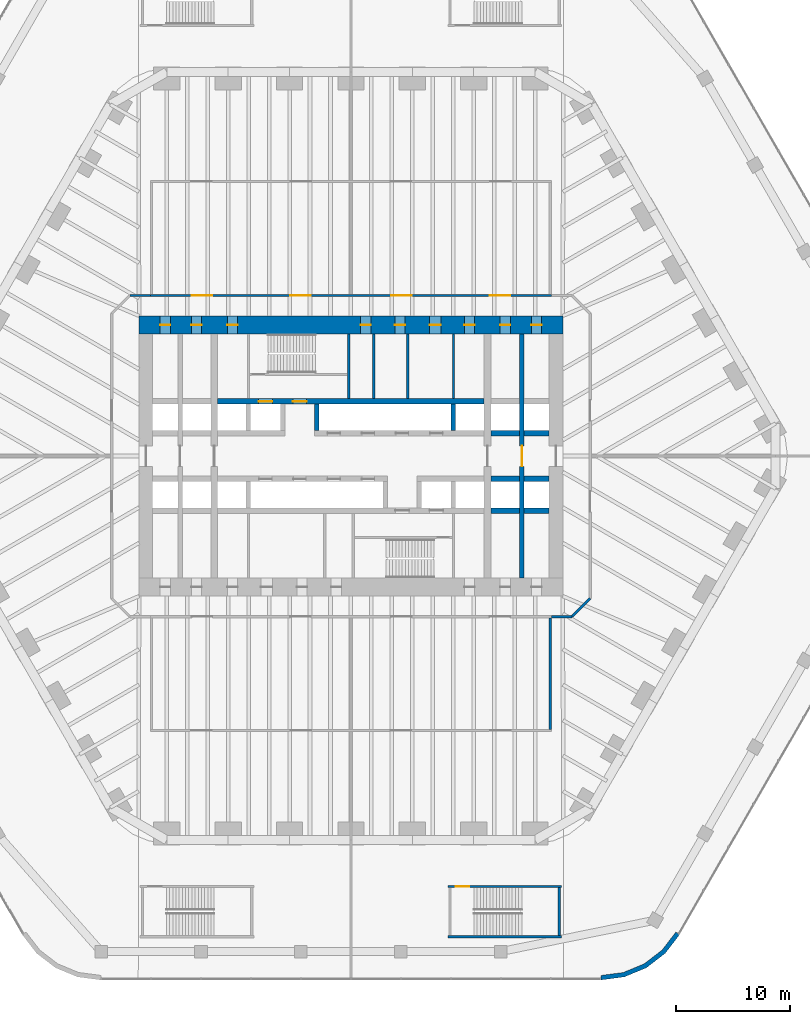
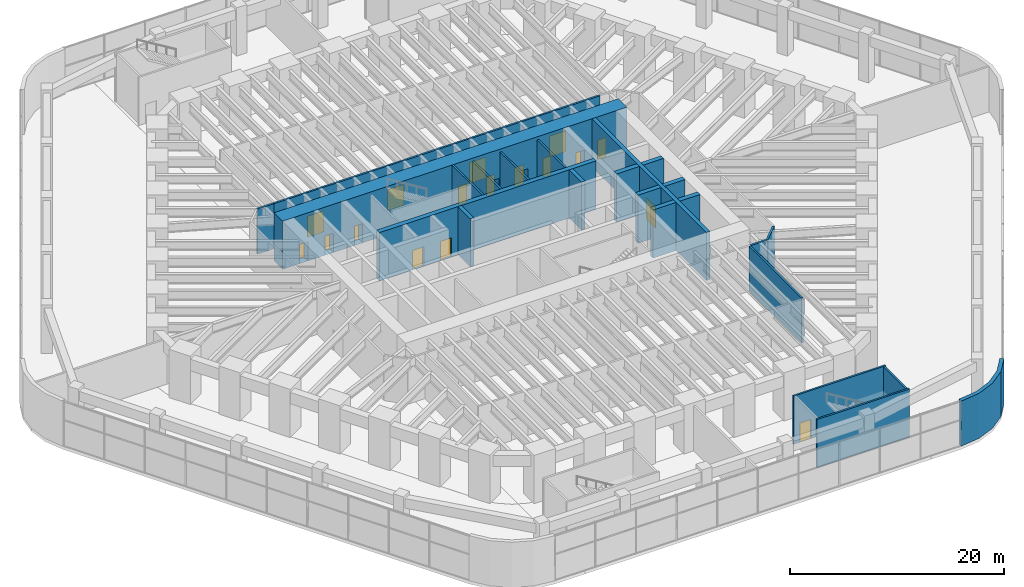
# One storey, part 28 of 31: 24 walls, 17 doors, 17 openings.
"""IFC4 building model written with IfcOpenShell, lengths in metres."""

from ifc_helpers import new_model, si_unit, direction, frame, frame_2d, origin, place, context, subcontext, project, spatial, polyline, rectangle, outline, extrude, material, layer, layer_set, type_object, element, fill, save


model = new_model("IFC4")

# Units and contexts
model_context = context("Model", 3, precision=1e-05, world=origin(), true_north=direction((0.0, 1.0)))
body_context = subcontext(model_context, "Body", "Model", "MODEL_VIEW")
ifc_project = project(units=[si_unit("LENGTHUNIT", "METRE"), si_unit("AREAUNIT", "SQUARE_METRE"), si_unit("VOLUMEUNIT", "CUBIC_METRE"), si_unit("PLANEANGLEUNIT", "RADIAN"), si_unit("MASSUNIT", "GRAM", prefix="KILO")], contexts=[model_context])

# Site, building, storey
site_placement = place(None, origin())
site = spatial("IfcSite", under=ifc_project, at=site_placement, CompositionType="ELEMENT")
building_placement = place(site_placement, origin())
building = spatial("IfcBuilding", under=site, at=building_placement, Name="Tarfa Lantern Tower", CompositionType="ELEMENT")
storey_placement = place(building_placement, frame((0.0, 0.0, 13.0)))
storey = spatial("IfcBuildingStorey", under=building, at=storey_placement, Name="L02", CompositionType="ELEMENT", Elevation=13.0)

# Walls
ifc_material_1 = material(Name="Limestone cladding on blockwork", Category="masonry")
ifc_layer_1 = layer(ifc_material_1, 0.39990234375)
ifc_layer_set_1 = layer_set([ifc_layer_1], Name="EW2 CURVED STONE CORNER 400")
wall_type_1 = type_object("IfcWallType", Name="EW2 CURVED STONE CORNER 400", PredefinedType="SOLIDWALL", material=ifc_layer_set_1)
wall_1_placement = place(storey_placement, origin())
element("IfcWall", 1, at=wall_1_placement, inside=storey, type_object=wall_type_1, Name="Stone corner S-SE", PredefinedType="SOLIDWALL", context=body_context, shape_type="SweptSolid", body=[
    extrude(outline(polyline([(21.939208984375, -46.0), (24.009765625, -45.727294921875), (25.939208984375, -44.92822265625), (27.59619140625, -43.65673828125), (28.867431640625, -42.0), (28.52099609375, -41.800048828125), (27.313232421875, -43.3740234375), (25.7392578125, -44.581787109375), (23.90625, -45.341064453125), (21.939208984375, -45.60009765625), (21.939208984375, -46.0)])), origin(), (0.0, 0.0, 1.0), 5.14990234375),
])
ifc_material_2 = material(Name="Concrete blockwork", Category="masonry")
ifc_layer_2 = layer(ifc_material_2, 0.199951171875)
ifc_layer_set_2 = layer_set([ifc_layer_2], Name="IW1 BLOCKWORK PARTITION 200 EI 120")
wall_type_2 = type_object("IfcWallType", Name="IW1 BLOCKWORK PARTITION 200 EI 120", PredefinedType="PARTITIONING", material=ifc_layer_set_2)
for number, where, z_axis, x_axis, name in (
    (2, (9.0, 5.050048828125, 0.0), (0.0, 0.0, 1.0), (0.0, 1.0, 0.0), "Core partition"),
    (3, (2.0, 5.050048828125, 0.0), (0.0, 0.0, 1.0), (0.0, 1.0, 0.0), "Core partition"),
    (4, (5.0, 5.050048828125, 0.0), (0.0, 0.0, 1.0), (0.0, 1.0, 0.0), "Core partition"),
):
    element("IfcWall", number, at=place(storey_placement, frame(where, z_axis=z_axis, x_axis=x_axis)), inside=storey, type_object=wall_type_2, Name=name, PredefinedType="PARTITIONING", context=body_context, shape_type="SweptSolid", body=[
        extrude(rectangle(XDim=5.64990234375, YDim=0.199951171875, at=frame_2d((2.824951171875, 0.0))), origin(), (0.0, 0.0, 1.0), 5.14990234375),
    ])

# Wall, openings, doors
ifc_material_3 = material(Name="Gypsum board on steel studs", Category="steel")
ifc_layer_3 = layer(ifc_material_3, 0.2099609375)
ifc_layer_set_3 = layer_set([ifc_layer_3], Name="IW2 ACOUSTIC PARTITION 200")
wall_type_3 = type_object("IfcWallType", Name="IW2 ACOUSTIC PARTITION 200", PredefinedType="PARTITIONING", material=ifc_layer_set_3)
wall_2_placement = place(storey_placement, frame((-17.60009765625, 14.10009765625, 0.0), z_axis=(0.0, 0.0, 1.0), x_axis=(1.0, 0.0, 0.0)))
wall_2 = element("IfcWall", 5, at=wall_2_placement, inside=storey, type_object=wall_type_3, Name="Partition", PredefinedType="PARTITIONING", context=body_context, shape_type="SweptSolid", body=[
    extrude(rectangle(XDim=35.2001953125, YDim=0.199951171875, at=frame_2d((17.60009765625, 0.0))), origin(), (0.0, 0.0, 1.0), 5.14990234375),
])
opening_1_placement = place(wall_2_placement, frame((3.625, 0.0, 0.0)))
opening_1 = element("IfcOpeningElement", 6, at=opening_1_placement, cuts=wall_2, Name="Opening D33", PredefinedType="OPENING", context=body_context, shape_type="SweptSolid", body=[
    extrude(rectangle(XDim=1.800048828125, YDim=2.39990234375, at=frame_2d((0.89990234375, 1.199951171875))), frame((0.0, 0.10986328125, 0.0), z_axis=(0.0, -1.0, 0.0), x_axis=(1.0, 0.0, 0.0)), (0.0, 0.0, 1.0), 0.219970703125),
])
opening_2_placement = place(wall_2_placement, frame((12.27490234375, 0.0, 0.0)))
opening_2 = element("IfcOpeningElement", 7, at=opening_2_placement, cuts=wall_2, Name="Opening D34", PredefinedType="OPENING", context=body_context, shape_type="SweptSolid", body=[
    extrude(rectangle(XDim=1.800048828125, YDim=2.39990234375, at=frame_2d((0.89990234375, 1.199951171875))), frame((0.0, 0.10986328125, 0.0), z_axis=(0.0, -1.0, 0.0), x_axis=(1.0, 0.0, 0.0)), (0.0, 0.0, 1.0), 0.219970703125),
])
opening_3_placement = place(wall_2_placement, frame((21.125, 0.0, 0.0)))
opening_3 = element("IfcOpeningElement", 8, at=opening_3_placement, cuts=wall_2, Name="Opening D35", PredefinedType="OPENING", context=body_context, shape_type="SweptSolid", body=[
    extrude(rectangle(XDim=1.800048828125, YDim=2.39990234375, at=frame_2d((0.89990234375, 1.199951171875))), frame((0.0, 0.10986328125, 0.0), z_axis=(0.0, -1.0, 0.0), x_axis=(1.0, 0.0, 0.0)), (0.0, 0.0, 1.0), 0.219970703125),
])
opening_4_placement = place(wall_2_placement, frame((29.77490234375, 0.0, 0.0)))
opening_4 = element("IfcOpeningElement", 9, at=opening_4_placement, cuts=wall_2, Name="Opening D36", PredefinedType="OPENING", context=body_context, shape_type="SweptSolid", body=[
    extrude(rectangle(XDim=1.800048828125, YDim=2.39990234375, at=frame_2d((0.89990234375, 1.199951171875))), frame((0.0, 0.10986328125, 0.0), z_axis=(0.0, -1.0, 0.0), x_axis=(1.0, 0.0, 0.0)), (0.0, 0.0, 1.0), 0.219970703125),
])
ifc_material_4 = material(Name="Timber door", Category="wood")
door_type_1 = type_object("IfcDoorType", Name="DR2 ROOM DOOR 1800x2400", OperationType="DOUBLE_DOOR_SINGLE_SWING", PredefinedType="DOOR", material=ifc_material_4)
door_1_placement = place(opening_1_placement, origin())
door_1 = element("IfcDoor", 10, at=door_1_placement, inside=storey, type_object=door_type_1, Name="Conference room door", OperationType="DOUBLE_DOOR_SINGLE_SWING", OverallHeight=2.39990234375, OverallWidth=1.800048828125, PredefinedType="DOOR", context=body_context, shape_type="SweptSolid", body=[
    extrude(rectangle(XDim=1.800048828125, YDim=2.39990234375, at=frame_2d((0.89990234375, 1.199951171875))), frame((0.0, 0.02490234375, 0.0), z_axis=(0.0, -1.0, 0.0), x_axis=(1.0, 0.0, 0.0)), (0.0, 0.0, 1.0), 0.050048828125),
])
fill(opening_1, door_1)
door_2_placement = place(opening_2_placement, origin())
door_2 = element("IfcDoor", 11, at=door_2_placement, inside=storey, type_object=door_type_1, Name="Conference room door", OperationType="DOUBLE_DOOR_SINGLE_SWING", OverallHeight=2.39990234375, OverallWidth=1.800048828125, PredefinedType="DOOR", context=body_context, shape_type="SweptSolid", body=[
    extrude(rectangle(XDim=1.800048828125, YDim=2.39990234375, at=frame_2d((0.89990234375, 1.199951171875))), frame((0.0, 0.02490234375, 0.0), z_axis=(0.0, -1.0, 0.0), x_axis=(1.0, 0.0, 0.0)), (0.0, 0.0, 1.0), 0.050048828125),
])
fill(opening_2, door_2)
door_3_placement = place(opening_3_placement, origin())
door_3 = element("IfcDoor", 12, at=door_3_placement, inside=storey, type_object=door_type_1, Name="Conference room door", OperationType="DOUBLE_DOOR_SINGLE_SWING", OverallHeight=2.39990234375, OverallWidth=1.800048828125, PredefinedType="DOOR", context=body_context, shape_type="SweptSolid", body=[
    extrude(rectangle(XDim=1.800048828125, YDim=2.39990234375, at=frame_2d((0.89990234375, 1.199951171875))), frame((0.0, 0.02490234375, 0.0), z_axis=(0.0, -1.0, 0.0), x_axis=(1.0, 0.0, 0.0)), (0.0, 0.0, 1.0), 0.050048828125),
])
fill(opening_3, door_3)
door_4_placement = place(opening_4_placement, origin())
door_4 = element("IfcDoor", 13, at=door_4_placement, inside=storey, type_object=door_type_1, Name="Conference room door", OperationType="DOUBLE_DOOR_SINGLE_SWING", OverallHeight=2.39990234375, OverallWidth=1.800048828125, PredefinedType="DOOR", context=body_context, shape_type="SweptSolid", body=[
    extrude(rectangle(XDim=1.800048828125, YDim=2.39990234375, at=frame_2d((0.89990234375, 1.199951171875))), frame((0.0, 0.02490234375, 0.0), z_axis=(0.0, -1.0, 0.0), x_axis=(1.0, 0.0, 0.0)), (0.0, 0.0, 1.0), 0.050048828125),
])
fill(opening_4, door_4)

# Walls
wall_3_placement = place(storey_placement, frame((17.5, -14.199951171875, 0.0), z_axis=(0.0, 0.0, 1.0), x_axis=(0.0, -1.0, 0.0)))
element("IfcWall", 14, at=wall_3_placement, inside=storey, type_object=wall_type_3, Name="Partition", PredefinedType="PARTITIONING", context=body_context, shape_type="SweptSolid", body=[
    extrude(rectangle(XDim=9.800048828125, YDim=0.199951171875, at=frame_2d((4.89990234375, 0.0))), origin(), (0.0, 0.0, 1.0), 5.14990234375),
])
wall_4_placement = place(storey_placement, frame((-19.39990234375, 14.10009765625, 0.0), z_axis=(0.0, 0.0, 1.0), x_axis=(1.0, 0.0, 0.0)))
element("IfcWall", 15, at=wall_4_placement, inside=storey, type_object=wall_type_3, Name="Partition", PredefinedType="PARTITIONING", context=body_context, shape_type="SweptSolid", body=[
    extrude(rectangle(XDim=1.7998046875, YDim=0.199951171875, at=frame_2d((0.89990234375, 0.0))), origin(), (0.0, 0.0, 1.0), 5.14990234375),
])
wall_5_placement = place(storey_placement, frame((21.0, -12.5, 0.0), z_axis=(0.0, 0.0, 1.0), x_axis=(-0.707106781187, -0.707106781187, 0.0)))
element("IfcWall", 16, at=wall_5_placement, inside=storey, type_object=wall_type_3, Name="Partition", PredefinedType="PARTITIONING", context=body_context, shape_type="SweptSolid", body=[
    extrude(rectangle(XDim=2.262939453125, YDim=0.199951171875, at=frame_2d((1.13134765625, 0.0))), origin(), (0.0, 0.0, 1.0), 5.14990234375),
])
wall_6_placement = place(storey_placement, frame((19.39990234375, -14.10009765625, 0.0), z_axis=(0.0, 0.0, 1.0), x_axis=(-1.0, 0.0, 0.0)))
element("IfcWall", 17, at=wall_6_placement, inside=storey, type_object=wall_type_3, Name="Partition", PredefinedType="PARTITIONING", context=body_context, shape_type="SweptSolid", body=[
    extrude(rectangle(XDim=1.7998046875, YDim=0.199951171875, at=frame_2d((0.89990234375, 0.0))), origin(), (0.0, 0.0, 1.0), 5.14990234375),
])
ifc_material_5 = material(Name="Concrete C80/95", Category="concrete")
ifc_layer_4 = layer(ifc_material_5, 0.199951171875)
ifc_layer_set_4 = layer_set([ifc_layer_4], Name="SW12 CORE WALL 200")
wall_type_4 = type_object("IfcWallType", Name="SW12 CORE WALL 200", PredefinedType="SHEAR", material=ifc_layer_set_4)
wall_7_placement = place(storey_placement, frame((-0.199951171875, 5.050048828125, 0.0), z_axis=(0.0, 0.0, 1.0), x_axis=(0.0, 1.0, 0.0)))
element("IfcWall", 18, at=wall_7_placement, inside=storey, type_object=wall_type_4, Name="Core wall stair shaft N", PredefinedType="SHEAR", context=body_context, shape_type="SweptSolid", body=[
    extrude(rectangle(XDim=5.64990234375, YDim=0.199951171875, at=frame_2d((2.824951171875, 0.0))), origin(), (0.0, 0.0, 1.0), 5.5),
])
wall_8_placement = place(storey_placement, frame((8.5, -42.199951171875, 0.0), z_axis=(0.0, 0.0, 1.0), x_axis=(1.0, 0.0, 0.0)))
element("IfcWall", 19, at=wall_8_placement, inside=storey, type_object=wall_type_4, Name="Stair ST6 shaft wall", PredefinedType="SHEAR", context=body_context, shape_type="SweptSolid", body=[
    extrude(rectangle(XDim=10.0, YDim=0.199951171875, at=frame_2d((5.0, 0.0))), origin(), (0.0, 0.0, 1.0), 5.5),
])

# Wall, opening, door
wall_9_placement = place(storey_placement, frame((18.5, -37.800048828125, 0.0), z_axis=(0.0, 0.0, 1.0), x_axis=(-1.0, 0.0, 0.0)))
wall_9 = element("IfcWall", 20, at=wall_9_placement, inside=storey, type_object=wall_type_4, Name="Stair ST6 shaft wall", PredefinedType="SHEAR", context=body_context, shape_type="SweptSolid", body=[
    extrude(rectangle(XDim=10.0, YDim=0.199951171875, at=frame_2d((5.0, 0.0))), origin(), (0.0, 0.0, 1.0), 5.5),
])
opening_5_placement = place(wall_9_placement, frame((8.10009765625, 0.0, 0.0)))
opening_5 = element("IfcOpeningElement", 21, at=opening_5_placement, cuts=wall_9, Name="Opening D32", PredefinedType="OPENING", context=body_context, shape_type="SweptSolid", body=[
    extrude(rectangle(XDim=1.199951171875, YDim=2.199951171875, at=frame_2d((0.60009765625, 1.10009765625))), frame((0.0, 0.10986328125, 0.0), z_axis=(0.0, -1.0, 0.0), x_axis=(1.0, 0.0, 0.0)), (0.0, 0.0, 1.0), 0.219970703125),
])
ifc_material_6 = material(Name="Steel fire door", Category="steel")
door_type_2 = type_object("IfcDoorType", Name="DF9 STAIR DOOR 1200x2200", OperationType="SINGLE_SWING_LEFT", PredefinedType="DOOR", material=ifc_material_6)
door_5_placement = place(opening_5_placement, frame((1.199951171875, 0.0, 0.0), z_axis=(0.0, 0.0, 1.0), x_axis=(-1.0, 0.0, 0.0)))
door_5 = element("IfcDoor", 22, at=door_5_placement, inside=storey, type_object=door_type_2, Name="Stair door", OperationType="SINGLE_SWING_RIGHT", OverallHeight=2.199951171875, OverallWidth=1.199951171875, PredefinedType="DOOR", context=body_context, shape_type="SweptSolid", body=[
    extrude(rectangle(XDim=1.199951171875, YDim=2.199951171875, at=frame_2d((0.60009765625, 1.10009765625))), frame((0.0, 0.02490234375, 0.0), z_axis=(0.0, -1.0, 0.0), x_axis=(1.0, 0.0, 0.0)), (0.0, 0.0, 1.0), 0.050048828125),
])
fill(opening_5, door_5)

# Walls
wall_10_placement = place(storey_placement, frame((18.300048828125, -42.10009765625, 0.0), z_axis=(0.0, 0.0, 1.0), x_axis=(0.0, 1.0, 0.0)))
element("IfcWall", 23, at=wall_10_placement, inside=storey, type_object=wall_type_4, Name="Stair ST6 shaft wall", PredefinedType="SHEAR", context=body_context, shape_type="SweptSolid", body=[
    extrude(rectangle(XDim=4.2001953125, YDim=0.199951171875, at=frame_2d((2.10009765625, 0.0))), origin(), (0.0, 0.0, 1.0), 5.5),
])
ifc_layer_5 = layer(ifc_material_5, 0.5)
ifc_layer_set_5 = layer_set([ifc_layer_5], Name="SW5 CORE WALL 500")
wall_type_5 = type_object("IfcWallType", Name="SW5 CORE WALL 500", PredefinedType="SHEAR", material=ifc_layer_set_5)
wall_11_placement = place(storey_placement, frame((12.300048828125, 2.0, 0.0), z_axis=(0.0, 0.0, 1.0), x_axis=(1.0, 0.0, 0.0)))
element("IfcWall", 24, at=wall_11_placement, inside=storey, type_object=wall_type_5, Name="Core wall lobby east N", PredefinedType="SHEAR", context=body_context, shape_type="SweptSolid", body=[
    extrude(rectangle(XDim=2.5, YDim=0.5, at=frame_2d((1.25, 0.0))), origin(), (0.0, 0.0, 1.0), 5.5),
])
wall_12_placement = place(storey_placement, frame((15.199951171875, 2.0, 0.0), z_axis=(0.0, 0.0, 1.0), x_axis=(1.0, 0.0, 0.0)))
element("IfcWall", 25, at=wall_12_placement, inside=storey, type_object=wall_type_5, Name="Core wall lobby east N", PredefinedType="SHEAR", context=body_context, shape_type="SweptSolid", body=[
    extrude(rectangle(XDim=2.199951171875, YDim=0.5, at=frame_2d((1.10009765625, 0.0))), origin(), (0.0, 0.0, 1.0), 5.5),
])

# Wall, openings, doors
wall_13_placement = place(storey_placement, frame((-11.699951171875, 4.800048828125, 0.0), z_axis=(0.0, 0.0, 1.0), x_axis=(1.0, 0.0, 0.0)))
wall_13 = element("IfcWall", 26, at=wall_13_placement, inside=storey, type_object=wall_type_5, Name="Core wall rear N", PredefinedType="SHEAR", context=body_context, shape_type="SweptSolid", body=[
    extrude(rectangle(XDim=23.39990234375, YDim=0.5, at=frame_2d((11.699951171875, 0.0))), origin(), (0.0, 0.0, 1.0), 5.5),
])
opening_6_placement = place(wall_13_placement, frame((6.60009765625, 0.0, 0.0)))
opening_6 = element("IfcOpeningElement", 27, at=opening_6_placement, cuts=wall_13, Name="Opening D13", PredefinedType="OPENING", context=body_context, shape_type="SweptSolid", body=[
    extrude(rectangle(XDim=1.199951171875, YDim=2.199951171875, at=frame_2d((0.60009765625, 1.10009765625))), frame((0.0, 0.260009765625, 0.0), z_axis=(0.0, -1.0, 0.0), x_axis=(1.0, 0.0, 0.0)), (0.0, 0.0, 1.0), 0.52001953125),
])
opening_7_placement = place(wall_13_placement, frame((3.60009765625, 0.0, 0.0)))
opening_7 = element("IfcOpeningElement", 28, at=opening_7_placement, cuts=wall_13, Name="Opening LD01", PredefinedType="OPENING", context=body_context, shape_type="SweptSolid", body=[
    extrude(rectangle(XDim=1.199951171875, YDim=2.199951171875, at=frame_2d((0.60009765625, 1.10009765625))), frame((0.0, 0.260009765625, 0.0), z_axis=(0.0, -1.0, 0.0), x_axis=(1.0, 0.0, 0.0)), (0.0, 0.0, 1.0), 0.52001953125),
])
door_type_3 = type_object("IfcDoorType", Name="DF1 FIREFIGHTING LOBBY DOOR 1200x2200", OperationType="SINGLE_SWING_LEFT", PredefinedType="DOOR", material=ifc_material_6)
door_6_placement = place(opening_6_placement, origin())
door_6 = element("IfcDoor", 29, at=door_6_placement, inside=storey, type_object=door_type_3, Name="Firefighting lobby door", OperationType="SINGLE_SWING_LEFT", OverallHeight=2.199951171875, OverallWidth=1.199951171875, PredefinedType="DOOR", context=body_context, shape_type="SweptSolid", body=[
    extrude(rectangle(XDim=1.199951171875, YDim=2.199951171875, at=frame_2d((0.60009765625, 1.10009765625))), frame((0.0, 0.02490234375, 0.0), z_axis=(0.0, -1.0, 0.0), x_axis=(1.0, 0.0, 0.0)), (0.0, 0.0, 1.0), 0.050048828125),
])
fill(opening_6, door_6)
ifc_material_7 = material(Name="Stainless steel lift door", Category="steel")
door_type_4 = type_object("IfcDoorType", Name="LD1 LIFT LANDING DOOR 1200x2200", OperationType="SLIDING_TO_LEFT", PredefinedType="DOOR", material=ifc_material_7)
door_7_placement = place(opening_7_placement, origin())
door_7 = element("IfcDoor", 30, at=door_7_placement, inside=storey, type_object=door_type_4, Name="Landing door FL1", OperationType="SLIDING_TO_LEFT", OverallHeight=2.199951171875, OverallWidth=1.199951171875, PredefinedType="DOOR", context=body_context, shape_type="SweptSolid", body=[
    extrude(rectangle(XDim=1.199951171875, YDim=2.199951171875, at=frame_2d((0.60009765625, 1.10009765625))), frame((0.0, 0.02490234375, 0.0), z_axis=(0.0, -1.0, 0.0), x_axis=(1.0, 0.0, 0.0)), (0.0, 0.0, 1.0), 0.050048828125),
])
fill(opening_7, door_7)

# Walls
wall_14_placement = place(storey_placement, frame((17.39990234375, -2.0, 0.0), z_axis=(0.0, 0.0, 1.0), x_axis=(-1.0, 0.0, 0.0)))
element("IfcWall", 31, at=wall_14_placement, inside=storey, type_object=wall_type_5, Name="Core wall lobby west S", PredefinedType="SHEAR", context=body_context, shape_type="SweptSolid", body=[
    extrude(rectangle(XDim=2.199951171875, YDim=0.5, at=frame_2d((1.10009765625, 0.0))), origin(), (0.0, 0.0, 1.0), 5.5),
])
wall_15_placement = place(storey_placement, frame((14.800048828125, -2.0, 0.0), z_axis=(0.0, 0.0, 1.0), x_axis=(-1.0, 0.0, 0.0)))
element("IfcWall", 32, at=wall_15_placement, inside=storey, type_object=wall_type_5, Name="Core wall lobby west S", PredefinedType="SHEAR", context=body_context, shape_type="SweptSolid", body=[
    extrude(rectangle(XDim=2.5, YDim=0.5, at=frame_2d((1.25, 0.0))), origin(), (0.0, 0.0, 1.0), 5.5),
])
wall_16_placement = place(storey_placement, frame((17.39990234375, -4.800048828125, 0.0), z_axis=(0.0, 0.0, 1.0), x_axis=(-1.0, 0.0, 0.0)))
element("IfcWall", 33, at=wall_16_placement, inside=storey, type_object=wall_type_5, Name="Core wall rear S", PredefinedType="SHEAR", context=body_context, shape_type="SweptSolid", body=[
    extrude(rectangle(XDim=2.199951171875, YDim=0.5, at=frame_2d((1.10009765625, 0.0))), origin(), (0.0, 0.0, 1.0), 5.5),
])
wall_17_placement = place(storey_placement, frame((14.800048828125, -4.800048828125, 0.0), z_axis=(0.0, 0.0, 1.0), x_axis=(-1.0, 0.0, 0.0)))
element("IfcWall", 34, at=wall_17_placement, inside=storey, type_object=wall_type_5, Name="Core wall rear S", PredefinedType="SHEAR", context=body_context, shape_type="SweptSolid", body=[
    extrude(rectangle(XDim=2.5, YDim=0.5, at=frame_2d((1.25, 0.0))), origin(), (0.0, 0.0, 1.0), 5.5),
])

# Wall, opening, door
ifc_layer_6 = layer(ifc_material_5, 0.39990234375)
ifc_layer_set_6 = layer_set([ifc_layer_6], Name="SW6 CORE WALL 400")
wall_type_6 = type_object("IfcWallType", Name="SW6 CORE WALL 400", PredefinedType="SHEAR", material=ifc_layer_set_6)
wall_18_placement = place(storey_placement, frame((15.0, -10.699951171875, 0.0), z_axis=(0.0, 0.0, 1.0), x_axis=(0.0, 1.0, 0.0)))
wall_18 = element("IfcWall", 35, at=wall_18_placement, inside=storey, type_object=wall_type_6, Name="Core wall cross 15 m east", PredefinedType="SHEAR", context=body_context, shape_type="SweptSolid", body=[
    extrude(rectangle(XDim=21.39990234375, YDim=0.39990234375, at=frame_2d((10.699951171875, 0.0))), origin(), (0.0, 0.0, 1.0), 5.5),
])
opening_8_placement = place(wall_18_placement, frame((9.800048828125, 0.0, 0.0)))
opening_8 = element("IfcOpeningElement", 36, at=opening_8_placement, cuts=wall_18, Name="Opening D26", PredefinedType="OPENING", context=body_context, shape_type="SweptSolid", body=[
    extrude(rectangle(XDim=1.800048828125, YDim=2.39990234375, at=frame_2d((0.89990234375, 1.199951171875))), frame((0.0, 0.2099609375, 0.0), z_axis=(0.0, -1.0, 0.0), x_axis=(1.0, 0.0, 0.0)), (0.0, 0.0, 1.0), 0.419921875),
])
door_type_5 = type_object("IfcDoorType", Name="DL1 LOBBY DOOR 1800x2400", OperationType="DOUBLE_DOOR_SINGLE_SWING", PredefinedType="DOOR", material=ifc_material_6)
door_8_placement = place(opening_8_placement, origin())
door_8 = element("IfcDoor", 37, at=door_8_placement, inside=storey, type_object=door_type_5, Name="Lift lobby door", OperationType="DOUBLE_DOOR_SINGLE_SWING", OverallHeight=2.39990234375, OverallWidth=1.800048828125, PredefinedType="DOOR", context=body_context, shape_type="SweptSolid", body=[
    extrude(rectangle(XDim=1.800048828125, YDim=2.39990234375, at=frame_2d((0.89990234375, 1.199951171875))), frame((0.0, 0.02490234375, 0.0), z_axis=(0.0, -1.0, 0.0), x_axis=(1.0, 0.0, 0.0)), (0.0, 0.0, 1.0), 0.050048828125),
])
fill(opening_8, door_8)

# Walls
for number, where, z_axis, x_axis, name in (
    (38, (-3.0, 2.25, 0.0), (0.0, 0.0, 1.0), (0.0, 1.0, 0.0), "Core wall divider N"),
    (39, (9.0, 2.25, 0.0), (0.0, 0.0, 1.0), (0.0, 1.0, 0.0), "Core wall divider N"),
):
    element("IfcWall", number, at=place(storey_placement, frame(where, z_axis=z_axis, x_axis=x_axis)), inside=storey, type_object=wall_type_6, Name=name, PredefinedType="SHEAR", context=body_context, shape_type="SweptSolid", body=[
        extrude(rectangle(XDim=2.300048828125, YDim=0.39990234375, at=frame_2d((1.14990234375, 0.0))), origin(), (0.0, 0.0, 1.0), 5.5),
    ])

# Wall, openings, doors
ifc_layer_7 = layer(ifc_material_5, 1.60009765625)
ifc_layer_set_7 = layer_set([ifc_layer_7], Name="SW7 CORE WALL 1600")
wall_type_7 = type_object("IfcWallType", Name="SW7 CORE WALL 1600", PredefinedType="SHEAR", material=ifc_layer_set_7)
wall_19_placement = place(storey_placement, frame((-18.60009765625, 11.5, 0.0), z_axis=(0.0, 0.0, 1.0), x_axis=(1.0, 0.0, 0.0)))
wall_19 = element("IfcWall", 40, at=wall_19_placement, inside=storey, type_object=wall_type_7, Name="Core wall N", PredefinedType="SHEAR", context=body_context, shape_type="SweptSolid", body=[
    extrude(rectangle(XDim=37.2001953125, YDim=1.60009765625, at=frame_2d((18.60009765625, 0.0))), origin(), (0.0, 0.0, 1.0), 5.5),
])
opening_9_placement = place(wall_19_placement, frame((19.449951171875, 0.0, 0.0)))
opening_9 = element("IfcOpeningElement", 41, at=opening_9_placement, cuts=wall_19, Name="Opening D17", PredefinedType="OPENING", context=body_context, shape_type="SweptSolid", body=[
    extrude(rectangle(XDim=0.89990234375, YDim=2.199951171875, at=frame_2d((0.449951171875, 1.10009765625))), frame((0.0, 0.81005859375, 0.0), z_axis=(0.0, -1.0, 0.0), x_axis=(1.0, 0.0, 0.0)), (0.0, 0.0, 1.0), 1.6201171875),
])
opening_10_placement = place(wall_19_placement, frame((22.449951171875, 0.0, 0.0)))
opening_10 = element("IfcOpeningElement", 42, at=opening_10_placement, cuts=wall_19, Name="Opening D19", PredefinedType="OPENING", context=body_context, shape_type="SweptSolid", body=[
    extrude(rectangle(XDim=0.89990234375, YDim=2.199951171875, at=frame_2d((0.449951171875, 1.10009765625))), frame((0.0, 0.81005859375, 0.0), z_axis=(0.0, -1.0, 0.0), x_axis=(1.0, 0.0, 0.0)), (0.0, 0.0, 1.0), 1.6201171875),
])
opening_11_placement = place(wall_19_placement, frame((25.5, 0.0, 0.0)))
opening_11 = element("IfcOpeningElement", 43, at=opening_11_placement, cuts=wall_19, Name="Opening D21", PredefinedType="OPENING", context=body_context, shape_type="SweptSolid", body=[
    extrude(rectangle(XDim=1.0, YDim=2.199951171875, at=frame_2d((0.5, 1.10009765625))), frame((0.0, 0.81005859375, 0.0), z_axis=(0.0, -1.0, 0.0), x_axis=(1.0, 0.0, 0.0)), (0.0, 0.0, 1.0), 1.6201171875),
])
opening_12_placement = place(wall_19_placement, frame((1.85009765625, 0.0, 0.0)))
opening_12 = element("IfcOpeningElement", 44, at=opening_12_placement, cuts=wall_19, Name="Opening D11", PredefinedType="OPENING", context=body_context, shape_type="SweptSolid", body=[
    extrude(rectangle(XDim=0.89990234375, YDim=2.199951171875, at=frame_2d((0.449951171875, 1.10009765625))), frame((0.0, 0.81005859375, 0.0), z_axis=(0.0, -1.0, 0.0), x_axis=(1.0, 0.0, 0.0)), (0.0, 0.0, 1.0), 1.6201171875),
])
opening_13_placement = place(wall_19_placement, frame((4.60009765625, 0.0, 0.0)))
opening_13 = element("IfcOpeningElement", 45, at=opening_13_placement, cuts=wall_19, Name="Opening D07", PredefinedType="OPENING", context=body_context, shape_type="SweptSolid", body=[
    extrude(rectangle(XDim=0.89990234375, YDim=2.199951171875, at=frame_2d((0.449951171875, 1.10009765625))), frame((0.0, 0.81005859375, 0.0), z_axis=(0.0, -1.0, 0.0), x_axis=(1.0, 0.0, 0.0)), (0.0, 0.0, 1.0), 1.6201171875),
])
opening_14_placement = place(wall_19_placement, frame((7.75, 0.0, 0.0)))
opening_14 = element("IfcOpeningElement", 46, at=opening_14_placement, cuts=wall_19, Name="Opening D09", PredefinedType="OPENING", context=body_context, shape_type="SweptSolid", body=[
    extrude(rectangle(XDim=0.89990234375, YDim=2.199951171875, at=frame_2d((0.449951171875, 1.10009765625))), frame((0.0, 0.81005859375, 0.0), z_axis=(0.0, -1.0, 0.0), x_axis=(1.0, 0.0, 0.0)), (0.0, 0.0, 1.0), 1.6201171875),
])
opening_15_placement = place(wall_19_placement, frame((28.550048828125, 0.0, 0.0)))
opening_15 = element("IfcOpeningElement", 47, at=opening_15_placement, cuts=wall_19, Name="Opening D05", PredefinedType="OPENING", context=body_context, shape_type="SweptSolid", body=[
    extrude(rectangle(XDim=0.89990234375, YDim=2.199951171875, at=frame_2d((0.449951171875, 1.10009765625))), frame((0.0, 0.81005859375, 0.0), z_axis=(0.0, -1.0, 0.0), x_axis=(1.0, 0.0, 0.0)), (0.0, 0.0, 1.0), 1.6201171875),
])
opening_16_placement = place(wall_19_placement, frame((31.699951171875, 0.0, 0.0)))
opening_16 = element("IfcOpeningElement", 48, at=opening_16_placement, cuts=wall_19, Name="Opening D01", PredefinedType="OPENING", context=body_context, shape_type="SweptSolid", body=[
    extrude(rectangle(XDim=0.89990234375, YDim=2.199951171875, at=frame_2d((0.449951171875, 1.10009765625))), frame((0.0, 0.81005859375, 0.0), z_axis=(0.0, -1.0, 0.0), x_axis=(1.0, 0.0, 0.0)), (0.0, 0.0, 1.0), 1.6201171875),
])
opening_17_placement = place(wall_19_placement, frame((34.449951171875, 0.0, 0.0)))
opening_17 = element("IfcOpeningElement", 49, at=opening_17_placement, cuts=wall_19, Name="Opening D03", PredefinedType="OPENING", context=body_context, shape_type="SweptSolid", body=[
    extrude(rectangle(XDim=0.89990234375, YDim=2.199951171875, at=frame_2d((0.449951171875, 1.10009765625))), frame((0.0, 0.81005859375, 0.0), z_axis=(0.0, -1.0, 0.0), x_axis=(1.0, 0.0, 0.0)), (0.0, 0.0, 1.0), 1.6201171875),
])
door_type_6 = type_object("IfcDoorType", Name="DF3 CORE ROOM DOOR 900x2200", OperationType="SINGLE_SWING_LEFT", PredefinedType="DOOR", material=ifc_material_6)
door_9_placement = place(opening_9_placement, frame((0.89990234375, 0.0, 0.0), z_axis=(0.0, 0.0, 1.0), x_axis=(-1.0, 0.0, 0.0)))
door_9 = element("IfcDoor", 50, at=door_9_placement, inside=storey, type_object=door_type_6, Name="Core door", OperationType="SINGLE_SWING_RIGHT", OverallHeight=2.199951171875, OverallWidth=0.89990234375, PredefinedType="DOOR", context=body_context, shape_type="SweptSolid", body=[
    extrude(rectangle(XDim=0.89990234375, YDim=2.199951171875, at=frame_2d((0.449951171875, 1.10009765625))), frame((0.0, 0.02490234375, 0.0), z_axis=(0.0, -1.0, 0.0), x_axis=(1.0, 0.0, 0.0)), (0.0, 0.0, 1.0), 0.050048828125),
])
fill(opening_9, door_9)
door_10_placement = place(opening_10_placement, frame((0.89990234375, 0.0, 0.0), z_axis=(0.0, 0.0, 1.0), x_axis=(-1.0, 0.0, 0.0)))
door_10 = element("IfcDoor", 51, at=door_10_placement, inside=storey, type_object=door_type_6, Name="Core door", OperationType="SINGLE_SWING_RIGHT", OverallHeight=2.199951171875, OverallWidth=0.89990234375, PredefinedType="DOOR", context=body_context, shape_type="SweptSolid", body=[
    extrude(rectangle(XDim=0.89990234375, YDim=2.199951171875, at=frame_2d((0.449951171875, 1.10009765625))), frame((0.0, 0.02490234375, 0.0), z_axis=(0.0, -1.0, 0.0), x_axis=(1.0, 0.0, 0.0)), (0.0, 0.0, 1.0), 0.050048828125),
])
fill(opening_10, door_10)
door_type_7 = type_object("IfcDoorType", Name="DF4 CORE ROOM DOOR 1000x2200", OperationType="SINGLE_SWING_LEFT", PredefinedType="DOOR", material=ifc_material_6)
door_11_placement = place(opening_11_placement, frame((1.0, 0.0, 0.0), z_axis=(0.0, 0.0, 1.0), x_axis=(-1.0, 0.0, 0.0)))
door_11 = element("IfcDoor", 52, at=door_11_placement, inside=storey, type_object=door_type_7, Name="Core door", OperationType="SINGLE_SWING_RIGHT", OverallHeight=2.199951171875, OverallWidth=1.0, PredefinedType="DOOR", context=body_context, shape_type="SweptSolid", body=[
    extrude(rectangle(XDim=1.0, YDim=2.199951171875, at=frame_2d((0.5, 1.10009765625))), frame((0.0, 0.02490234375, 0.0), z_axis=(0.0, -1.0, 0.0), x_axis=(1.0, 0.0, 0.0)), (0.0, 0.0, 1.0), 0.050048828125),
])
fill(opening_11, door_11)
door_type_8 = type_object("IfcDoorType", Name="DF5 RISER DOOR 900x2200", OperationType="SINGLE_SWING_LEFT", PredefinedType="DOOR", material=ifc_material_6)
door_12_placement = place(opening_12_placement, frame((0.89990234375, 0.0, 0.0), z_axis=(0.0, 0.0, 1.0), x_axis=(-1.0, 0.0, 0.0)))
door_12 = element("IfcDoor", 53, at=door_12_placement, inside=storey, type_object=door_type_8, Name="Riser door", OperationType="SINGLE_SWING_LEFT", OverallHeight=2.199951171875, OverallWidth=0.89990234375, PredefinedType="DOOR", context=body_context, shape_type="SweptSolid", body=[
    extrude(rectangle(XDim=0.89990234375, YDim=2.199951171875, at=frame_2d((0.449951171875, 1.10009765625))), frame((0.0, 0.02490234375, 0.0), z_axis=(0.0, -1.0, 0.0), x_axis=(1.0, 0.0, 0.0)), (0.0, 0.0, 1.0), 0.050048828125),
])
fill(opening_12, door_12)
door_13_placement = place(opening_13_placement, frame((0.89990234375, 0.0, 0.0), z_axis=(0.0, 0.0, 1.0), x_axis=(-1.0, 0.0, 0.0)))
door_13 = element("IfcDoor", 54, at=door_13_placement, inside=storey, type_object=door_type_8, Name="Riser door", OperationType="SINGLE_SWING_LEFT", OverallHeight=2.199951171875, OverallWidth=0.89990234375, PredefinedType="DOOR", context=body_context, shape_type="SweptSolid", body=[
    extrude(rectangle(XDim=0.89990234375, YDim=2.199951171875, at=frame_2d((0.449951171875, 1.10009765625))), frame((0.0, 0.02490234375, 0.0), z_axis=(0.0, -1.0, 0.0), x_axis=(1.0, 0.0, 0.0)), (0.0, 0.0, 1.0), 0.050048828125),
])
fill(opening_13, door_13)
door_14_placement = place(opening_14_placement, frame((0.89990234375, 0.0, 0.0), z_axis=(0.0, 0.0, 1.0), x_axis=(-1.0, 0.0, 0.0)))
door_14 = element("IfcDoor", 55, at=door_14_placement, inside=storey, type_object=door_type_8, Name="Riser door", OperationType="SINGLE_SWING_LEFT", OverallHeight=2.199951171875, OverallWidth=0.89990234375, PredefinedType="DOOR", context=body_context, shape_type="SweptSolid", body=[
    extrude(rectangle(XDim=0.89990234375, YDim=2.199951171875, at=frame_2d((0.449951171875, 1.10009765625))), frame((0.0, 0.02490234375, 0.0), z_axis=(0.0, -1.0, 0.0), x_axis=(1.0, 0.0, 0.0)), (0.0, 0.0, 1.0), 0.050048828125),
])
fill(opening_14, door_14)
door_15_placement = place(opening_15_placement, frame((0.89990234375, 0.0, 0.0), z_axis=(0.0, 0.0, 1.0), x_axis=(-1.0, 0.0, 0.0)))
door_15 = element("IfcDoor", 56, at=door_15_placement, inside=storey, type_object=door_type_8, Name="Riser door", OperationType="SINGLE_SWING_RIGHT", OverallHeight=2.199951171875, OverallWidth=0.89990234375, PredefinedType="DOOR", context=body_context, shape_type="SweptSolid", body=[
    extrude(rectangle(XDim=0.89990234375, YDim=2.199951171875, at=frame_2d((0.449951171875, 1.10009765625))), frame((0.0, 0.02490234375, 0.0), z_axis=(0.0, -1.0, 0.0), x_axis=(1.0, 0.0, 0.0)), (0.0, 0.0, 1.0), 0.050048828125),
])
fill(opening_15, door_15)
door_16_placement = place(opening_16_placement, frame((0.89990234375, 0.0, 0.0), z_axis=(0.0, 0.0, 1.0), x_axis=(-1.0, 0.0, 0.0)))
door_16 = element("IfcDoor", 57, at=door_16_placement, inside=storey, type_object=door_type_8, Name="Riser door", OperationType="SINGLE_SWING_RIGHT", OverallHeight=2.199951171875, OverallWidth=0.89990234375, PredefinedType="DOOR", context=body_context, shape_type="SweptSolid", body=[
    extrude(rectangle(XDim=0.89990234375, YDim=2.199951171875, at=frame_2d((0.449951171875, 1.10009765625))), frame((0.0, 0.02490234375, 0.0), z_axis=(0.0, -1.0, 0.0), x_axis=(1.0, 0.0, 0.0)), (0.0, 0.0, 1.0), 0.050048828125),
])
fill(opening_16, door_16)
door_17_placement = place(opening_17_placement, frame((0.89990234375, 0.0, 0.0), z_axis=(0.0, 0.0, 1.0), x_axis=(-1.0, 0.0, 0.0)))
door_17 = element("IfcDoor", 58, at=door_17_placement, inside=storey, type_object=door_type_8, Name="Riser door", OperationType="SINGLE_SWING_RIGHT", OverallHeight=2.199951171875, OverallWidth=0.89990234375, PredefinedType="DOOR", context=body_context, shape_type="SweptSolid", body=[
    extrude(rectangle(XDim=0.89990234375, YDim=2.199951171875, at=frame_2d((0.449951171875, 1.10009765625))), frame((0.0, 0.02490234375, 0.0), z_axis=(0.0, -1.0, 0.0), x_axis=(1.0, 0.0, 0.0)), (0.0, 0.0, 1.0), 0.050048828125),
])
fill(opening_17, door_17)

save(model, "model.ifc")
